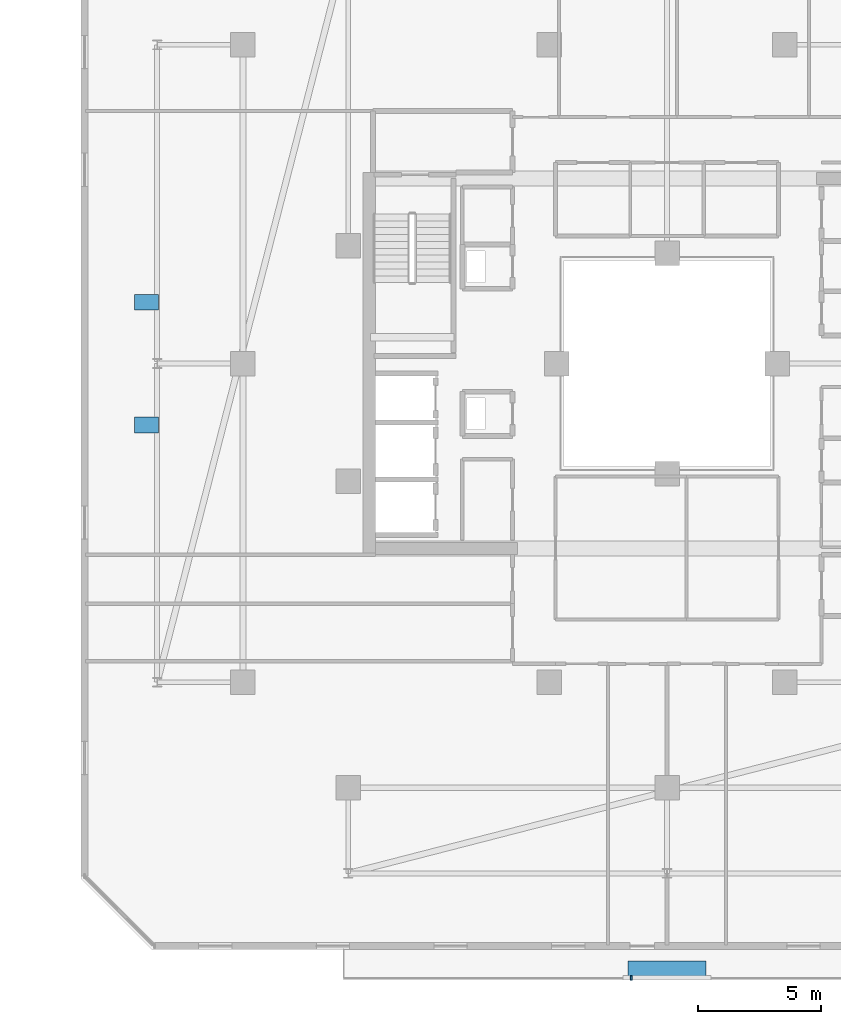
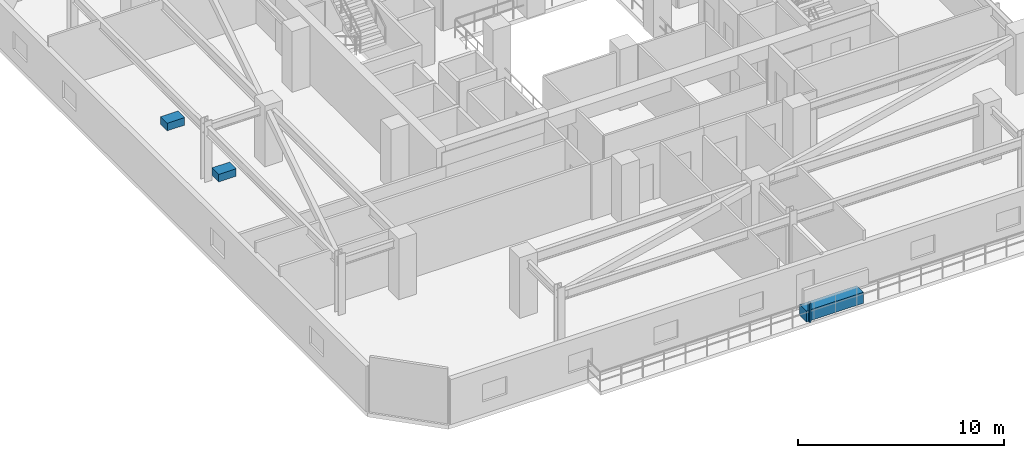
# One storey, part 29 of 33: 4 discrete accessories.
"""IFC4 building model written with IfcOpenShell, lengths in metres."""

from ifc_helpers import new_model, si_unit, direction, frame, origin, origin_2d, place, context, subcontext, project, spatial, rectangle, extrude, material, type_object, element, save


model = new_model("IFC4")

# Units and contexts
model_context = context("Model", 3, precision=1e-05, world=origin(), true_north=direction((0.0, 1.0)))
body_context = subcontext(model_context, "Body", "Model", "MODEL_VIEW")
ifc_project = project(units=[si_unit("LENGTHUNIT", "METRE"), si_unit("AREAUNIT", "SQUARE_METRE"), si_unit("VOLUMEUNIT", "CUBIC_METRE"), si_unit("PLANEANGLEUNIT", "RADIAN"), si_unit("MASSUNIT", "GRAM", prefix="KILO")], contexts=[model_context])

# Site, building, storey
site_placement = place(None, origin())
site = spatial("IfcSite", under=ifc_project, at=site_placement, CompositionType="ELEMENT")
building_placement = place(site_placement, origin())
building = spatial("IfcBuilding", under=site, at=building_placement, Name="Thornwick Lancets Civic Towers", CompositionType="ELEMENT")
storey_placement = place(building_placement, frame((0.0, 0.0, 218.10009765625)))
storey = spatial("IfcBuildingStorey", under=building, at=storey_placement, Name="L58", CompositionType="ELEMENT", Elevation=218.10009765625)

# Discrete accessories
ifc_material_1 = material(Name="Concrete C60/75", Category="concrete")
discrete_accessory_type_1 = type_object("IfcDiscreteAccessoryType", Name="ACC_CORBEL_SEAT", PredefinedType="BRACKET", material=ifc_material_1)
for number, where, z_axis, x_axis, name in (
    (1, (67.260009765625, 24.5, 1.88916015625), (0.0, 0.0, 1.0), (1.0, 0.0, 0.0), "L59 Skybridge Reinforced Concrete Sliding Bearing Corbel 1"),
    (2, (67.260009765625, 29.5, 1.88916015625), (0.0, 0.0, 1.0), (1.0, 0.0, 0.0), "L59 Skybridge Reinforced Concrete Sliding Bearing Corbel 2"),
):
    element("IfcDiscreteAccessory", number, at=place(storey_placement, frame(where, z_axis=z_axis, x_axis=x_axis)), inside=storey, type_object=discrete_accessory_type_1, Name=name, PredefinedType="BRACKET", context=body_context, shape_type="SweptSolid", body=[
        extrude(rectangle(XDim=0.97998046875, YDim=0.64990234375, at=origin_2d()), origin(), (0.0, 0.0, 1.0), 0.449951171875),
    ])
ifc_material_2 = material(Name="Planted terracotta greenery planter", Category="masonry")
discrete_accessory_type_2 = type_object("IfcDiscreteAccessoryType", Name="ACC_PLANTER_BOX", PredefinedType="USERDEFINED", material=ifc_material_2)
discrete_accessory_1_placement = place(storey_placement, frame((88.5, 2.300048828125, 0.0), z_axis=(0.0, 0.0, 1.0), x_axis=(1.0, 0.0, 0.0)))
element("IfcDiscreteAccessory", 3, at=discrete_accessory_1_placement, inside=storey, type_object=discrete_accessory_type_2, Name="L58 Tower B Balcony Greenery Planter S", ObjectType="PLANTER", PredefinedType="USERDEFINED", context=body_context, shape_type="SweptSolid", body=[
    extrude(rectangle(XDim=3.199951171875, YDim=0.64990234375, at=origin_2d()), origin(), (0.0, 0.0, 1.0), 0.64990234375),
])
ifc_material_3 = material(Name="Stainless steel S355", Category="steel")
discrete_accessory_type_3 = type_object("IfcDiscreteAccessoryType", Name="ACC_SCREEN_BRACKET", PredefinedType="BRACKET", material=ifc_material_3)
discrete_accessory_2_placement = place(storey_placement, frame((87.050048828125, 1.93994140625, 0.0), z_axis=(0.0, 0.0, 1.0), x_axis=(1.0, 0.0, 0.0)))
element("IfcDiscreteAccessory", 4, at=discrete_accessory_2_placement, inside=storey, type_object=discrete_accessory_type_3, Name="L58 Tower B Balcony Screen Stanchion Bracket S-1", PredefinedType="BRACKET", context=body_context, shape_type="SweptSolid", body=[
    extrude(rectangle(XDim=0.080078125, YDim=0.179931640625, at=origin_2d()), origin(), (0.0, 0.0, 1.0), 1.14990234375),
])

save(model, "model.ifc")
